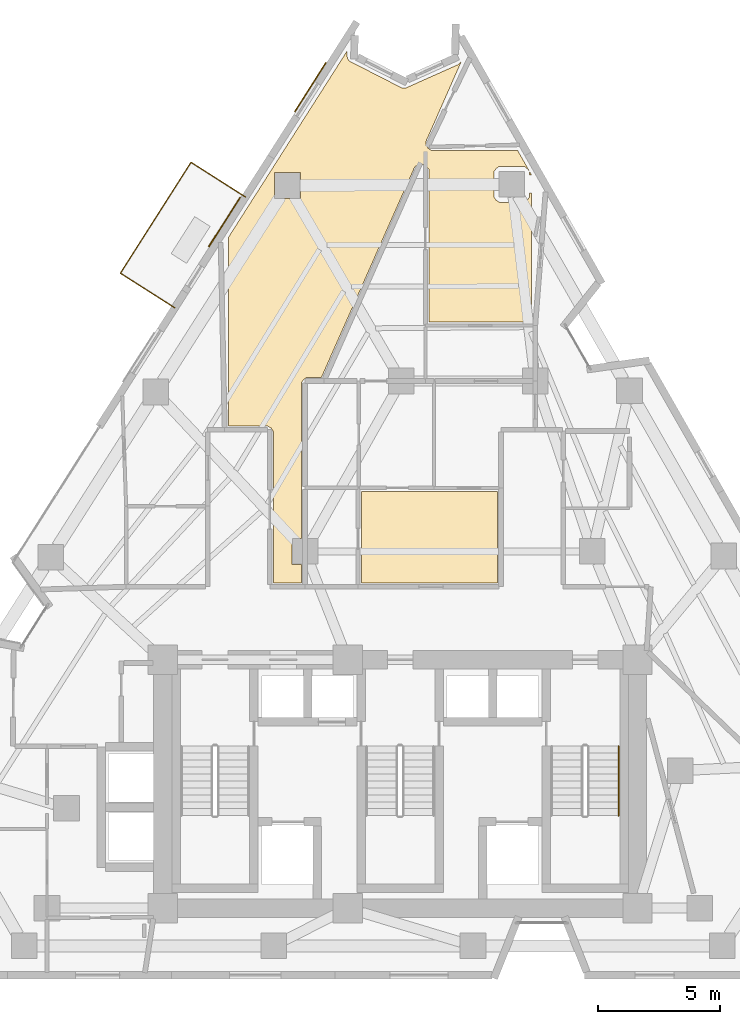
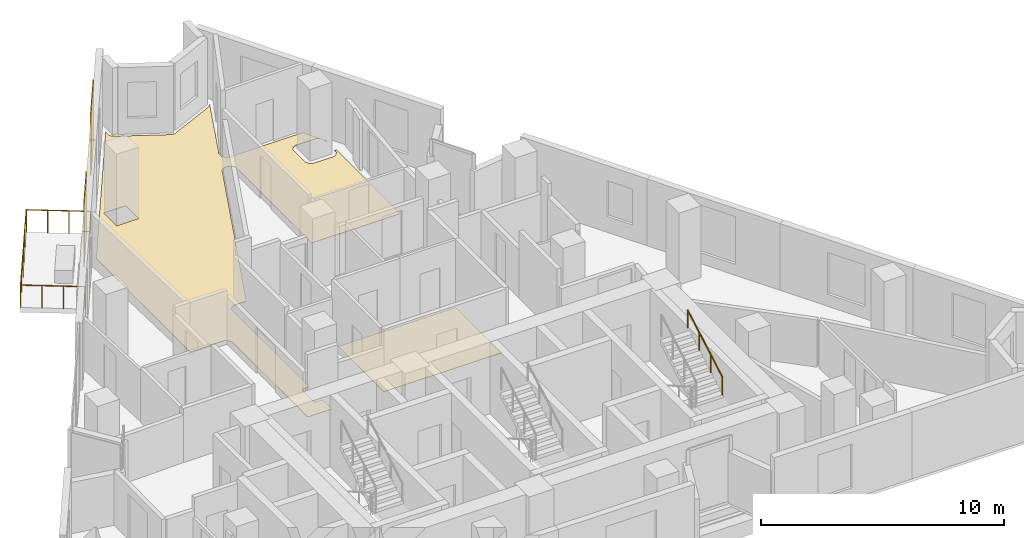
# One storey, part 11 of 11: 4 coverings, 2 railings.
"""IFC4 building model written with IfcOpenShell, lengths in metres."""

from ifc_helpers import new_model, si_unit, direction, frame, origin, origin_2d, place, context, subcontext, project, spatial, polyline, rectangle, circle, outline, extrude, material, layer, layer_set, type_object, element, save


model = new_model("IFC4")

# Units and contexts
model_context = context("Model", 3, precision=1e-05, world=origin(), true_north=direction((0.0, 1.0)))
body_context = subcontext(model_context, "Body", "Model", "MODEL_VIEW")
ifc_project = project(units=[si_unit("LENGTHUNIT", "METRE"), si_unit("AREAUNIT", "SQUARE_METRE"), si_unit("VOLUMEUNIT", "CUBIC_METRE"), si_unit("PLANEANGLEUNIT", "RADIAN"), si_unit("MASSUNIT", "GRAM", prefix="KILO")], contexts=[model_context])

# Site, building, storey
site_placement = place(None, origin())
site = spatial("IfcSite", under=ifc_project, at=site_placement, CompositionType="ELEMENT")
building_placement = place(site_placement, origin())
building = spatial("IfcBuilding", under=site, at=building_placement, Name="Almagre Mirador Tower", CompositionType="ELEMENT")
storey_placement = place(building_placement, frame((0.0, 0.0, 135.60009765625)))
storey = spatial("IfcBuildingStorey", under=building, at=storey_placement, Name="L34", CompositionType="ELEMENT", Elevation=135.60009765625)

# Coverings
ifc_material_1 = material(Name="Almagre terracotta architectural cladding", Category="masonry")
ifc_layer_1 = layer(ifc_material_1, 0.044921875)
ifc_layer_set_1 = layer_set([ifc_layer_1], Name="Almagre terracotta architectural cladding")
covering_type_1 = type_object("IfcCoveringType", Name="COV-CLAD-ALMAGRE", PredefinedType="CLADDING", material=ifc_layer_set_1)
for number, where, z_axis, x_axis, name in (
    (1, (30.088134765625, 32.72509765625, 0.099853515625), (0.0, 0.0, 1.0), (0.537122957072, 0.843503959081, 0.0), "L34 almagre terracotta pier cladding"),
    (2, (33.616455078125, 38.266357421875, 0.099853515625), (0.0, 0.0, 1.0), (0.537108235069, 0.843513333517, 0.0), "L34 almagre terracotta pier cladding"),
):
    element("IfcCovering", number, at=place(storey_placement, frame(where, z_axis=z_axis, x_axis=x_axis)), inside=storey, type_object=covering_type_1, Name=name, PredefinedType="CLADDING", context=body_context, shape_type="SweptSolid", body=[
        extrude(rectangle(XDim=2.39990234375, YDim=0.044921875, at=origin_2d()), origin(), (0.0, 0.0, 1.0), 3.14990234375),
    ])
ifc_material_2 = material(Name="Engineered white oak flooring", Category="wood")
ifc_layer_2 = layer(ifc_material_2, 0.01806640625)
ifc_layer_set_2 = layer_set([ifc_layer_2], Name="Engineered white oak flooring")
covering_type_2 = type_object("IfcCoveringType", Name="COV-FLR-OAK-18", PredefinedType="FLOORING", material=ifc_layer_set_2)
covering_1_placement = place(storey_placement, origin())
element("IfcCovering", 3, at=covering_1_placement, inside=storey, type_object=covering_type_2, Name="L34 Unit L34-G Living and Dining Room finish flooring", PredefinedType="FLOORING", context=body_context, shape_type="SweptSolid", body=[
    extrude(outline(polyline([(41.300048828125, 21.659912109375), (41.300048828125, 17.89990234375), (35.719970703125, 17.89990234375), (35.719970703125, 21.659912109375), (41.300048828125, 21.659912109375)])), origin(), (0.0, 0.0, 1.0), 0.017822265625),
])
covering_2_placement = place(storey_placement, origin())
element("IfcCovering", 4, at=covering_2_placement, inside=storey, type_object=covering_type_2, Name="L34 L34 Residents Reading Gallery J finish flooring", PredefinedType="FLOORING", context=body_context, shape_type="SweptSolid", body=[
    extrude(outline(polyline([(31.8720703125, 24.35009765625), (30.25, 24.35009765625), (30.25, 32.095947265625), (35.125, 39.7509765625), (35.1201171875, 39.592041015625), (35.1201171875, 39.508056640625), (35.136962890625, 39.490966796875), (35.139892578125, 39.485107421875), (35.139892578125, 39.43798828125), (35.177001953125, 39.40087890625), (35.197998046875, 39.35791015625), (35.240966796875, 39.3369140625), (35.260986328125, 39.31689453125), (35.302001953125, 39.2958984375), (37.31201171875, 38.26611328125), (37.35107421875, 38.2470703125), (37.367919921875, 38.22998046875), (37.534912109375, 38.22998046875), (37.5869140625, 38.256103515625), (37.60400390625, 38.263916015625), (39.68603515625, 39.194091796875), (39.698974609375, 39.20703125), (39.718994140625, 39.217041015625), (39.79296875, 39.291015625), (39.802978515625, 39.31103515625), (39.81591796875, 39.323974609375), (38.4140625, 36.14599609375), (38.3798828125, 36.112060546875), (38.3798828125, 36.06494140625), (38.3701171875, 36.044921875), (38.3701171875, 35.925048828125), (38.3798828125, 35.905029296875), (38.3798828125, 35.85791015625), (38.4169921875, 35.821044921875), (38.427001953125, 35.801025390625), (38.43701171875, 35.791015625), (38.4580078125, 35.748046875), (38.5009765625, 35.72705078125), (38.510986328125, 35.717041015625), (38.531005859375, 35.70703125), (38.568115234375, 35.669921875), (38.614990234375, 35.669921875), (38.635009765625, 35.659912109375), (42.133056640625, 35.659912109375), (42.699951171875, 34.659912109375), (42.699951171875, 34.64990234375), (42.6201171875, 34.64990234375), (42.6201171875, 34.781982421875), (42.610107421875, 34.7919921875), (42.610107421875, 34.81201171875), (42.572998046875, 34.84912109375), (42.56298828125, 34.868896484375), (42.552978515625, 34.87890625), (42.531982421875, 34.922119140625), (42.489013671875, 34.943115234375), (42.47900390625, 34.952880859375), (42.458984375, 34.962890625), (42.422119140625, 35.0), (42.402099609375, 35.0), (42.39208984375, 35.010009765625), (41.3779296875, 35.010009765625), (41.367919921875, 35.0), (41.347900390625, 35.0), (41.31103515625, 34.962890625), (41.291015625, 34.952880859375), (41.281005859375, 34.943115234375), (41.238037109375, 34.922119140625), (41.217041015625, 34.87890625), (41.20703125, 34.868896484375), (41.197021484375, 34.84912109375), (41.159912109375, 34.81201171875), (41.159912109375, 34.7919921875), (41.14990234375, 34.781982421875), (41.14990234375, 33.76806640625), (41.159912109375, 33.758056640625), (41.159912109375, 33.738037109375), (41.197021484375, 33.700927734375), (41.20703125, 33.680908203125), (41.217041015625, 33.6708984375), (41.238037109375, 33.6279296875), (41.281005859375, 33.60693359375), (41.291015625, 33.596923828125), (41.31103515625, 33.5869140625), (41.347900390625, 33.550048828125), (41.367919921875, 33.550048828125), (41.3779296875, 33.5400390625), (42.39208984375, 33.5400390625), (42.402099609375, 33.550048828125), (42.422119140625, 33.550048828125), (42.458984375, 33.5869140625), (42.47900390625, 33.596923828125), (42.489013671875, 33.60693359375), (42.531982421875, 33.6279296875), (42.552978515625, 33.6708984375), (42.56298828125, 33.680908203125), (42.572998046875, 33.700927734375), (42.610107421875, 33.738037109375), (42.610107421875, 33.758056640625), (42.6201171875, 33.76806640625), (42.6201171875, 33.909912109375), (42.699951171875, 33.909912109375), (42.699951171875, 28.6201171875), (38.489990234375, 28.6201171875), (38.489990234375, 34.8349609375), (38.47998046875, 34.85498046875), (38.47998046875, 34.902099609375), (38.443115234375, 34.93896484375), (38.43310546875, 34.958984375), (38.4130859375, 34.97900390625), (38.39208984375, 35.02197265625), (38.34912109375, 35.04296875), (38.31201171875, 35.080078125), (38.264892578125, 35.080078125), (38.2451171875, 35.090087890625), (38.235107421875, 35.090087890625), (38.215087890625, 35.10009765625), (38.094970703125, 35.10009765625), (38.074951171875, 35.090087890625), (38.028076171875, 35.090087890625), (37.990966796875, 35.052978515625), (37.970947265625, 35.04296875), (37.950927734375, 35.02294921875), (37.907958984375, 35.001953125), (37.886962890625, 34.958984375), (37.85009765625, 34.922119140625), (37.85009765625, 34.8720703125), (34.072021484375, 26.35009765625), (33.47802734375, 26.35009765625), (33.468017578125, 26.340087890625), (33.447998046875, 26.340087890625), (33.410888671875, 26.302978515625), (33.39111328125, 26.29296875), (33.381103515625, 26.282958984375), (33.337890625, 26.261962890625), (33.31689453125, 26.218994140625), (33.306884765625, 26.208984375), (33.297119140625, 26.18896484375), (33.260009765625, 26.152099609375), (33.260009765625, 26.132080078125), (33.25, 26.1220703125), (33.25, 19.72998046875), (32.8701171875, 19.72998046875), (32.8701171875, 18.669921875), (33.25, 18.669921875), (33.25, 17.89990234375), (32.10009765625, 17.89990234375), (32.10009765625, 24.1220703125), (32.090087890625, 24.132080078125), (32.090087890625, 24.152099609375), (32.052978515625, 24.18896484375), (32.04296875, 24.208984375), (32.032958984375, 24.218994140625), (32.011962890625, 24.261962890625), (31.968994140625, 24.282958984375), (31.958984375, 24.29296875), (31.93896484375, 24.302978515625), (31.902099609375, 24.340087890625), (31.882080078125, 24.340087890625), (31.8720703125, 24.35009765625)]), holes=[polyline([(32.14208984375, 33.697021484375), (32.14208984375, 34.757080078125), (33.201904296875, 34.757080078125), (33.201904296875, 33.697021484375), (32.14208984375, 33.697021484375)])]), origin(), (0.0, 0.0, 1.0), 0.017822265625),
])

# Railings
ifc_material_3 = material(Name="Black anodized aluminium", Category="aluminium")
railing_type_1 = type_object("IfcRailingType", Name="RLG-BAL-1150", PredefinedType="BALUSTRADE", material=ifc_material_3)
railing_1_placement = place(storey_placement, frame((30.949951171875, 33.757080078125, 0.0)))
element("IfcRailing", 5, at=railing_1_placement, inside=storey, type_object=railing_type_1, Name="L34 west balcony balustrade 2", PredefinedType="BALUSTRADE", context=body_context, shape_type="SweptSolid", body=[
    extrude(circle(Radius=0.02392578125, at=origin_2d()), frame((0.0, 0.0, 1.1259765625), z_axis=(-0.843380639334, 0.537316570745, 0.0), x_axis=(-0.537316570745, -0.843380639334, 0.0)), (0.0, 0.0, 1.0), 2.64990234375),
    extrude(circle(Radius=0.02392578125, at=origin_2d()), frame((-2.23486328125, 1.423828125, 1.1259765625), z_axis=(-0.537208927139, -0.84344920926, 0.0), x_axis=(0.84344920926, -0.537208927139, 0.0)), (0.0, 0.0, 1.0), 5.400390625),
    extrude(circle(Radius=0.02392578125, at=origin_2d()), frame((-5.135986328125, -3.131103515625, 1.1259765625), z_axis=(0.843638730299, -0.536911252201, 0.0), x_axis=(0.536911252201, 0.843638730299, 0.0)), (0.0, 0.0, 1.0), 2.650634765625),
    extrude(circle(Radius=0.02099609375, at=origin_2d()), origin(), (0.0, 0.0, 1.0), 1.101806640625),
    extrude(circle(Radius=0.02099609375, at=origin_2d()), frame((-0.744873046875, 0.474609375, 0.0)), (0.0, 0.0, 1.0), 1.101806640625),
    extrude(circle(Radius=0.02099609375, at=origin_2d()), frame((-1.489990234375, 0.94921875, 0.0)), (0.0, 0.0, 1.0), 1.101806640625),
    extrude(circle(Radius=0.02099609375, at=origin_2d()), frame((-2.23486328125, 1.423828125, 0.0)), (0.0, 0.0, 1.0), 1.101806640625),
    extrude(circle(Radius=0.02099609375, at=origin_2d()), frame((-2.815185546875, 0.512939453125, 0.0)), (0.0, 0.0, 1.0), 1.101806640625),
    extrude(circle(Radius=0.02099609375, at=origin_2d()), frame((-3.395263671875, -0.398193359375, 0.0)), (0.0, 0.0, 1.0), 1.101806640625),
    extrude(circle(Radius=0.02099609375, at=origin_2d()), frame((-3.9755859375, -1.30908203125, 0.0)), (0.0, 0.0, 1.0), 1.101806640625),
    extrude(circle(Radius=0.02099609375, at=origin_2d()), frame((-4.5556640625, -2.22021484375, 0.0)), (0.0, 0.0, 1.0), 1.101806640625),
    extrude(circle(Radius=0.02099609375, at=origin_2d()), frame((-5.135986328125, -3.131103515625, 0.0)), (0.0, 0.0, 1.0), 1.101806640625),
    extrude(circle(Radius=0.02099609375, at=origin_2d()), frame((-4.390625, -3.60546875, 0.0)), (0.0, 0.0, 1.0), 1.101806640625),
    extrude(circle(Radius=0.02099609375, at=origin_2d()), frame((-3.645263671875, -4.079833984375, 0.0)), (0.0, 0.0, 1.0), 1.101806640625),
    extrude(circle(Radius=0.02099609375, at=origin_2d()), frame((-2.89990234375, -4.55419921875, 0.0)), (0.0, 0.0, 1.0), 1.101806640625),
])
ifc_material_4 = material(Name="Brushed stainless steel", Category="steel")
railing_type_2 = type_object("IfcRailingType", Name="RLG-HND-915", PredefinedType="HANDRAIL", material=ifc_material_4)
railing_2_placement = place(storey_placement, frame((46.27490234375, 8.35009765625, 1.963623046875)))
element("IfcRailing", 6, at=railing_2_placement, inside=storey, type_object=railing_type_2, Name="L34 ST-3 stair handrail 2", PredefinedType="HANDRAIL", context=body_context, shape_type="SweptSolid", body=[
    extrude(circle(Radius=0.02392578125, at=origin_2d()), frame((0.0, 0.0, 0.89111328125), z_axis=(0.0, 0.867226363773, 0.497914082927), x_axis=(-1.0, 0.0, 0.0)), (0.0, 0.0, 1.0), 3.2861328125),
    extrude(circle(Radius=0.02099609375, at=origin_2d()), origin(), (0.0, 0.0, 1.0), 0.866943359375),
    extrude(circle(Radius=0.02099609375, at=origin_2d()), frame((0.0, 0.949951171875, 0.54541015625)), (0.0, 0.0, 1.0), 0.866943359375),
    extrude(circle(Radius=0.02099609375, at=origin_2d()), frame((0.0, 1.89990234375, 1.0908203125)), (0.0, 0.0, 1.0), 0.866943359375),
    extrude(circle(Radius=0.02099609375, at=origin_2d()), frame((0.0, 2.849853515625, 1.63623046875)), (0.0, 0.0, 1.0), 0.866943359375),
])

save(model, "model.ifc")
